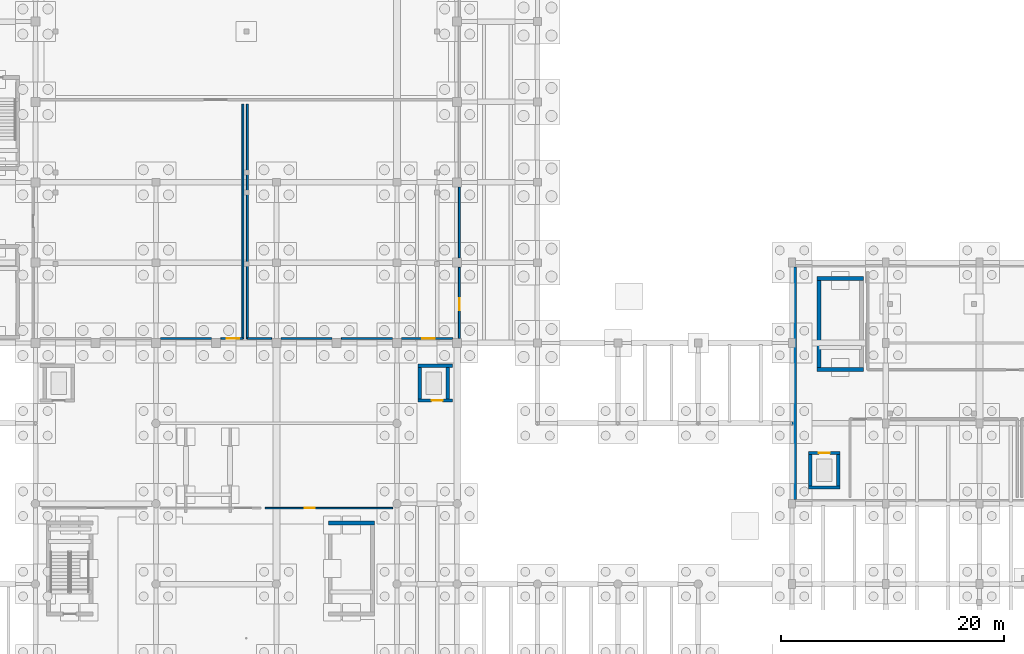
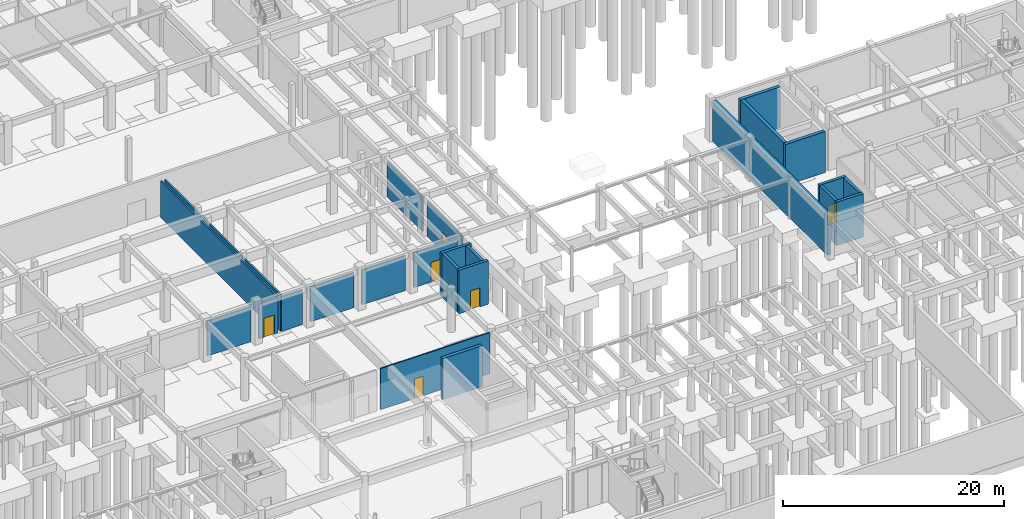
# One storey, part 27 of 46: 24 walls, 6 doors, 6 openings.
"""IFC4 building model written with IfcOpenShell, lengths in metres."""

import ifcopenshell
import ifcopenshell.guid

model = None  # the IFC model being written
_history = None  # IfcOwnerHistory: only IFC2X3 demands one
_inside = {}  # id of a spatial element -> (the spatial element, [elements in it])
_under = {}  # id of a project, library or spatial element -> (it, [spatial elements below it])
_declared = {}  # id of a project -> (the project, [libraries it declares])
_typed = {}  # id of a type object -> (the type object, [elements of that type])
_made_of = {}  # id of a material, layer set ... -> (it, [elements and type objects made of it])


def new_model(schema):
    """Start an empty IFC model of exactly this schema.

    Asked for "IFC4X3", IfcOpenShell would pick the latest addendum, in which some entities
    have other attributes; the version numbers below select the first issue.
    IFC2X3 requires an IfcOwnerHistory on every rooted entity: one is made here for all.
    """
    global model, _history
    if schema == "IFC4X3":
        model = ifcopenshell.file(schema_version=(4, 3, 0, 0))
    else:
        model = ifcopenshell.file(schema=schema)
    _inside.clear()
    _under.clear()
    _declared.clear()
    _typed.clear()
    _made_of.clear()
    _history = None
    if model.schema == "IFC2X3":
        org = make("IfcOrganization", Name="unknown")
        user = make(
            "IfcPersonAndOrganization",
            ThePerson=make("IfcPerson", FamilyName="unknown"),
            TheOrganization=org,
        )
        app = make(
            "IfcApplication",
            ApplicationDeveloper=org,
            Version="unknown",
            ApplicationFullName="unknown",
            ApplicationIdentifier="unknown",
        )
        _history = make(
            "IfcOwnerHistory",
            OwningUser=user,
            OwningApplication=app,
            ChangeAction="ADDED",
            CreationDate=0,
        )
    return model


def make(cls, **values):
    """One entity of the class cls with the attributes given. An attribute that is None is left unset."""
    return model.create_entity(
        cls, **{name: value for name, value in values.items() if value is not None}
    )


def rooted(cls, **values):
    """An entity with a GlobalId (a new one), such as an element, a storey or a relation."""
    return make(cls, GlobalId=ifcopenshell.guid.new(), OwnerHistory=_history, **values)


def si_unit(unit_type, name, prefix=None):
    """IfcSIUnit, for example si_unit("LENGTHUNIT", "METRE", prefix="MILLI")."""
    return make("IfcSIUnit", UnitType=unit_type, Prefix=prefix, Name=name)


def assignment(units):
    """IfcUnitAssignment: the units of a project."""
    return None if units is None else make("IfcUnitAssignment", Units=units)


def point(xyz):
    """IfcCartesianPoint."""
    return None if xyz is None else make("IfcCartesianPoint", Coordinates=xyz)


def direction(xyz):
    """IfcDirection."""
    return None if xyz is None else make("IfcDirection", DirectionRatios=xyz)


def frame(location, z_axis=None, x_axis=None):
    """IfcAxis2Placement3D, a coordinate frame: its origin and axes. An axis left out is left unset."""
    return make(
        "IfcAxis2Placement3D",
        Location=point(location),
        Axis=direction(z_axis),
        RefDirection=direction(x_axis),
    )


def frame_2d(location, x_axis=None):
    """IfcAxis2Placement2D, a coordinate frame in the plane: its origin and x axis."""
    return make(
        "IfcAxis2Placement2D", Location=point(location), RefDirection=direction(x_axis)
    )


def origin():
    """The frame at (0, 0, 0) with its axes left unset."""
    return frame((0.0, 0.0, 0.0))


def place(relative_to, where):
    """IfcLocalPlacement: puts the frame where relative to a parent placement (None: the world)."""
    return make(
        "IfcLocalPlacement", PlacementRelTo=relative_to, RelativePlacement=where
    )


def context(
    kind, dimensions, precision=None, world=None, true_north=None, identifier=None
):
    """IfcGeometricRepresentationContext, for example the 3D "Model" context."""
    return make(
        "IfcGeometricRepresentationContext",
        ContextIdentifier=identifier,
        ContextType=kind,
        CoordinateSpaceDimension=dimensions,
        Precision=precision,
        WorldCoordinateSystem=world,
        TrueNorth=true_north,
    )


def subcontext(parent, identifier, kind, view, scale=None):
    """IfcGeometricRepresentationSubContext, for example "Body" below "Model"."""
    return make(
        "IfcGeometricRepresentationSubContext",
        ContextIdentifier=identifier,
        ContextType=kind,
        ParentContext=parent,
        TargetScale=scale,
        TargetView=view,
    )


def project(units=None, contexts=None):
    """IfcProject with its units and contexts."""
    return rooted(
        "IfcProject",
        Name="project",
        RepresentationContexts=contexts,
        UnitsInContext=assignment(units),
    )


def spatial(cls, under=None, at=None, **own):
    """A site, building, storey or space (cls), placed at a placement, below another one or the project."""
    s = rooted(cls, ObjectPlacement=at, **own)
    if under is not None:
        _under.setdefault(under.id(), (under, []))[1].append(s)
    return s


def profile(cls, at=None, kind="AREA", **sizes):
    """A parametric profile (cls). Its sizes go by their IFC names, for example OverallWidth=200.0."""
    return make(cls, ProfileType=kind, Position=at, **sizes)


def rectangle(**sizes):
    """IfcRectangleProfileDef."""
    return profile("IfcRectangleProfileDef", **sizes)


def extrude(swept, where, along, depth):
    """IfcExtrudedAreaSolid: the profile swept, set in the frame where, extruded along a direction by depth."""
    return make(
        "IfcExtrudedAreaSolid",
        SweptArea=swept,
        Position=where,
        ExtrudedDirection=direction(along),
        Depth=depth,
    )


def shape(context_of_items, identifier, shape_type, items):
    """IfcShapeRepresentation: the items that make up one representation, for example the "Body"."""
    return make(
        "IfcShapeRepresentation",
        ContextOfItems=context_of_items,
        RepresentationIdentifier=identifier,
        RepresentationType=shape_type,
        Items=items,
    )


def material(Name=None, Category=None):
    """IfcMaterial."""
    return make("IfcMaterial", Name=Name, Category=Category)


def layer(
    of_material, thickness, ventilated=None, Name=None, Category=None, Priority=None
):
    """IfcMaterialLayer: one layer of a wall or slab, of a material (None: an air gap)."""
    return make(
        "IfcMaterialLayer",
        Material=of_material,
        LayerThickness=thickness,
        IsVentilated=ventilated,
        Name=Name,
        Category=Category,
        Priority=Priority,
    )


def layer_set(layers, Name=None):
    """IfcMaterialLayerSet."""
    return make("IfcMaterialLayerSet", MaterialLayers=layers, LayerSetName=Name)


def made_of(thing, what):
    """Note that an element or type object is made of a material, layer set ...; save() writes the relation."""
    if what is not None:
        _made_of.setdefault(what.id(), (what, []))[1].append(thing)
    return thing


def type_object(cls, material=None, **own):
    """A type object (cls), such as IfcWallType, which elements share."""
    return made_of(rooted(cls, **own), material)


def element(
    cls,
    number,
    at=None,
    inside=None,
    cuts=None,
    type_object=None,
    material=None,
    context=None,
    identifier="Body",
    shape_type=None,
    held_by="IfcProductDefinitionShape",
    body=None,
    shapes=None,
    **own,
):
    """One element of the class cls, such as IfcWall. Its Tag is "e" and its number.

    at: its placement. inside: the storey or other place that contains it. cuts: it is an
    opening in that element (IfcRelVoidsElement). A single representation is given by context,
    identifier, shape_type and body (its items); several are given by shapes. held_by: the class
    of the entity that holds the representations. save() writes the other relations.
    """
    e = rooted(cls, Tag="e%d" % number, ObjectPlacement=at, **own)
    if body is not None:
        shapes = [shape(context, identifier, shape_type, body)]
    if shapes is not None:
        e.Representation = make(held_by, Representations=shapes)
    if inside is not None:
        _inside.setdefault(inside.id(), (inside, []))[1].append(e)
    if cuts is not None:
        rooted(
            "IfcRelVoidsElement", RelatingBuildingElement=cuts, RelatedOpeningElement=e
        )
    if type_object is not None:
        _typed.setdefault(type_object.id(), (type_object, []))[1].append(e)
    return made_of(e, material)


def fill(opening, filler):
    """IfcRelFillsElement: the door or window that sits in an opening."""
    return rooted(
        "IfcRelFillsElement",
        RelatingOpeningElement=opening,
        RelatedBuildingElement=filler,
    )


def aggregate(whole, parts):
    """IfcRelAggregates: a whole, such as a stair, and the parts it consists of."""
    return rooted("IfcRelAggregates", RelatingObject=whole, RelatedObjects=parts)


def save(model, path):
    """Write the relations noted so far, then the file.

    IfcRelAggregates (storeys below a building ...), IfcRelContainedInSpatialStructure (elements
    in a storey), IfcRelDefinesByType, IfcRelAssociatesMaterial and IfcRelDeclares: one each for
    every whole, place, type object, material and project.
    """
    for whole, parts in _under.values():
        aggregate(whole, parts)
    for where, things in _inside.values():
        rooted(
            "IfcRelContainedInSpatialStructure",
            RelatedElements=things,
            RelatingStructure=where,
        )
    for kind, things in _typed.values():
        rooted("IfcRelDefinesByType", RelatedObjects=things, RelatingType=kind)
    for what, things in _made_of.values():
        rooted("IfcRelAssociatesMaterial", RelatedObjects=things, RelatingMaterial=what)
    for by, libraries in _declared.values():
        rooted("IfcRelDeclares", RelatingContext=by, RelatedDefinitions=libraries)
    model.write(path)


model = new_model("IFC4")

# Units and contexts
model_context = context("Model", 3, precision=1e-05, world=origin(), true_north=direction((0.0, 1.0)))
body_context = subcontext(model_context, "Body", "Model", "MODEL_VIEW")
ifc_project = project(units=[si_unit("LENGTHUNIT", "METRE"), si_unit("AREAUNIT", "SQUARE_METRE"), si_unit("VOLUMEUNIT", "CUBIC_METRE"), si_unit("PLANEANGLEUNIT", "RADIAN"), si_unit("MASSUNIT", "GRAM", prefix="KILO")], contexts=[model_context])

# Site, building, storey
site_placement = place(None, origin())
site = spatial("IfcSite", under=ifc_project, at=site_placement, CompositionType="ELEMENT")
building_placement = place(site_placement, origin())
building = spatial("IfcBuilding", under=site, at=building_placement, Name="Tazoul Stagehouse", CompositionType="ELEMENT")
storey_placement = place(building_placement, frame((0.0, 0.0, -4.800048828125)))
storey = spatial("IfcBuildingStorey", under=building, at=storey_placement, Name="B1", CompositionType="ELEMENT", Elevation=-4.800048828125)

# Walls
ifc_material_1 = material(Name="Concrete C35/45", Category="concrete")
ifc_layer_1 = layer(ifc_material_1, 0.39990234375, Name="Concrete C35/45")
ifc_layer_set_1 = layer_set([ifc_layer_1], Name="Concrete C35/45")
wall_type_1 = type_object("IfcWallType", Name="Basement Waterproofed Retaining Wall 400", PredefinedType="SOLIDWALL", material=ifc_layer_set_1)
wall_1_placement = place(storey_placement, frame((125.60009765625, 37.800048828125, 0.0), z_axis=(0.0, 0.0, 1.0), x_axis=(0.0, 1.0, 0.0)))
element("IfcWall", 1, at=wall_1_placement, inside=storey, type_object=wall_type_1, Name="B1 Wall RW-400 (RW-B1-V4-W-S1)", PredefinedType="SOLIDWALL", context=body_context, shape_type="SweptSolid", body=[
    extrude(rectangle(XDim=20.800048828125, YDim=0.39990234375, at=frame_2d((10.39990234375, 0.0))), origin(), (0.0, 0.0, 1.0), 4.47998046875),
])
ifc_material_2 = material(Name="Concrete C40/50", Category="concrete")
ifc_layer_2 = layer(ifc_material_2, 0.35009765625, Name="Concrete C40/50")
ifc_layer_set_2 = layer_set([ifc_layer_2], Name="Concrete C40/50")
wall_type_2 = type_object("IfcWallType", Name="Core Shear Wall 350", PredefinedType="SOLIDWALL", material=ifc_layer_set_2)
wall_2_placement = place(storey_placement, frame((131.800048828125, 49.425048828125, 0.0), z_axis=(0.0, 0.0, 1.0), x_axis=(-1.0, 0.0, 0.0)))
element("IfcWall", 2, at=wall_2_placement, inside=storey, type_object=wall_type_2, Name="B1 Core Wall CW-350 (SHF-ST-07-south)", PredefinedType="SOLIDWALL", context=body_context, shape_type="SweptSolid", body=[
    extrude(rectangle(XDim=4.150146484375, YDim=0.35009765625, at=frame_2d((2.0751953125, 0.0))), origin(), (0.0, 0.0, 1.0), 4.52001953125),
])
wall_3_placement = place(storey_placement, frame((127.824951171875, 49.60009765625, 0.0), z_axis=(0.0, 0.0, 1.0), x_axis=(0.0, 1.0, 0.0)))
element("IfcWall", 3, at=wall_3_placement, inside=storey, type_object=wall_type_2, Name="B1 Core Wall CW-350 (SHF-ST-07-west)", PredefinedType="SOLIDWALL", context=body_context, shape_type="SweptSolid", body=[
    extrude(rectangle(XDim=7.7998046875, YDim=0.35009765625, at=frame_2d((3.89990234375, 0.0))), origin(), (0.0, 0.0, 1.0), 4.52001953125),
])
wall_4_placement = place(storey_placement, frame((127.64990234375, 57.574951171875, 0.0), z_axis=(0.0, 0.0, 1.0), x_axis=(1.0, 0.0, 0.0)))
element("IfcWall", 4, at=wall_4_placement, inside=storey, type_object=wall_type_2, Name="B1 Core Wall CW-350 (SHF-ST-07-north)", PredefinedType="SOLIDWALL", context=body_context, shape_type="SweptSolid", body=[
    extrude(rectangle(XDim=4.150146484375, YDim=0.35009765625, at=frame_2d((2.0751953125, 0.0))), origin(), (0.0, 0.0, 1.0), 4.52001953125),
])
wall_5_placement = place(storey_placement, frame((83.85009765625, 35.655029296875, 0.0), z_axis=(0.0, 0.0, 1.0), x_axis=(1.0, 0.0, 0.0)))
element("IfcWall", 5, at=wall_5_placement, inside=storey, type_object=wall_type_2, Name="B1 Core Wall CW-350 (SHF-ST-08-north)", PredefinedType="SOLIDWALL", context=body_context, shape_type="SweptSolid", body=[
    extrude(rectangle(XDim=4.14990234375, YDim=0.35009765625, at=frame_2d((2.074951171875, 0.0))), origin(), (0.0, 0.0, 1.0), 4.5400390625),
])

# Wall, opening, door
ifc_material_3 = material(Name="Gypsum Acoustic Partition", Category="gypsum")
ifc_layer_3 = layer(ifc_material_3, 0.169921875, Name="Gypsum Acoustic Partition")
ifc_layer_set_3 = layer_set([ifc_layer_3], Name="Gypsum Acoustic Partition")
wall_type_3 = type_object("IfcWallType", Name="Corridor Fire-Rated Partition 170", PredefinedType="PARTITIONING", material=ifc_layer_set_3)
wall_6_placement = place(storey_placement, frame((76.199951171875, 52.199951171875, 0.0), z_axis=(0.0, 0.0, 1.0), x_axis=(-1.0, 0.0, 0.0)))
wall_6 = element("IfcWall", 6, at=wall_6_placement, inside=storey, type_object=wall_type_3, Name="B1 Partition PW-170 (PW-RM-B1-002-S-S1)", PredefinedType="PARTITIONING", context=body_context, shape_type="SweptSolid", body=[
    extrude(rectangle(XDim=1.97998046875, YDim=0.169921875, at=frame_2d((0.989990234375, 0.0))), origin(), (0.0, 0.0, 1.0), 3.840087890625),
])
opening_1_placement = place(wall_6_placement, frame((0.35009765625, 0.0, 0.0)))
opening_1 = element("IfcOpeningElement", 7, at=opening_1_placement, cuts=wall_6, Name="Opening ID-09", PredefinedType="OPENING", context=body_context, shape_type="SweptSolid", body=[
    extrude(rectangle(XDim=1.10009765625, YDim=2.10009765625, at=frame_2d((0.550048828125, 1.050048828125))), frame((0.0, 0.10498046875, 0.0), z_axis=(0.0, -1.0, 0.0), x_axis=(1.0, 0.0, 0.0)), (0.0, 0.0, 1.0), 0.2099609375),
])
ifc_material_4 = material(Name="Acoustic Cedar Timber", Category="wood")
door_type_1 = type_object("IfcDoorType", Name="Store Room Steel Door 1100x2100", OperationType="NOTDEFINED", PredefinedType="DOOR", material=ifc_material_4)
door_1_placement = place(opening_1_placement, origin())
door_1 = element("IfcDoor", 8, at=door_1_placement, inside=storey, type_object=door_type_1, Name="B1 Musicians Instrument Store Door", OperationType="SINGLE_SWING_RIGHT", OverallHeight=2.10009765625, OverallWidth=1.10009765625, PredefinedType="DOOR", context=body_context, shape_type="SweptSolid", body=[
    extrude(rectangle(XDim=1.10009765625, YDim=2.10009765625, at=frame_2d((0.550048828125, 1.050048828125))), frame((0.0, 0.02490234375, 0.0), z_axis=(0.0, -1.0, 0.0), x_axis=(1.0, 0.0, 0.0)), (0.0, 0.0, 1.0), 0.050048828125),
])
fill(opening_1, door_1)

# Walls
wall_7_placement = place(storey_placement, frame((73.3798828125, 52.199951171875, 0.0), z_axis=(0.0, 0.0, 1.0), x_axis=(-1.0, 0.0, 0.0)))
element("IfcWall", 9, at=wall_7_placement, inside=storey, type_object=wall_type_3, Name="B1 Partition PW-170 (PW-RM-B1-002-S-S2)", PredefinedType="PARTITIONING", context=body_context, shape_type="SweptSolid", body=[
    extrude(rectangle(XDim=4.559814453125, YDim=0.169921875, at=frame_2d((2.27978515625, 0.0))), origin(), (0.0, 0.0, 1.0), 3.840087890625),
])
wall_8_placement = place(storey_placement, frame((76.199951171875, 73.199951171875, 0.0), z_axis=(0.0, 0.0, 1.0), x_axis=(0.0, -1.0, 0.0)))
element("IfcWall", 10, at=wall_8_placement, inside=storey, type_object=wall_type_3, Name="B1 Partition PW-170 (PW-RM-B1-002-E)", PredefinedType="PARTITIONING", context=body_context, shape_type="SweptSolid", body=[
    extrude(rectangle(XDim=21.0, YDim=0.169921875, at=frame_2d((10.5, 0.0))), origin(), (0.0, 0.0, 1.0), 4.0400390625),
])

# Wall, opening, door
wall_9_placement = place(storey_placement, frame((94.97998046875, 52.199951171875, 0.0), z_axis=(0.0, 0.0, 1.0), x_axis=(-1.0, 0.0, 0.0)))
wall_9 = element("IfcWall", 11, at=wall_9_placement, inside=storey, type_object=wall_type_3, Name="B1 Partition PW-170 (PW-RM-B1-003-S-S1)", PredefinedType="PARTITIONING", context=body_context, shape_type="SweptSolid", body=[
    extrude(rectangle(XDim=4.56005859375, YDim=0.169921875, at=frame_2d((2.280029296875, 0.0))), origin(), (0.0, 0.0, 1.0), 3.840087890625),
])
opening_2_placement = place(wall_9_placement, frame((1.581787109375, 0.0, 0.0)))
opening_2 = element("IfcOpeningElement", 12, at=opening_2_placement, cuts=wall_9, Name="Opening ID-10", PredefinedType="OPENING", context=body_context, shape_type="SweptSolid", body=[
    extrude(rectangle(XDim=1.14990234375, YDim=2.14990234375, at=frame_2d((0.574951171875, 1.074951171875))), frame((0.0, 0.10498046875, 0.0), z_axis=(0.0, -1.0, 0.0), x_axis=(1.0, 0.0, 0.0)), (0.0, 0.0, 1.0), 0.2099609375),
])
door_type_2 = type_object("IfcDoorType", Name="Plantroom Rated Single Door 1150x2150", OperationType="NOTDEFINED", PredefinedType="DOOR", material=ifc_material_4)
door_2_placement = place(opening_2_placement, origin())
door_2 = element("IfcDoor", 13, at=door_2_placement, inside=storey, type_object=door_type_2, Name="B1 Under-Stalls Acoustic Plenum Chamber Door", OperationType="SINGLE_SWING_LEFT", OverallHeight=2.14990234375, OverallWidth=1.14990234375, PredefinedType="DOOR", context=body_context, shape_type="SweptSolid", body=[
    extrude(rectangle(XDim=1.14990234375, YDim=2.14990234375, at=frame_2d((0.574951171875, 1.074951171875))), frame((0.0, 0.02490234375, 0.0), z_axis=(0.0, -1.0, 0.0), x_axis=(1.0, 0.0, 0.0)), (0.0, 0.0, 1.0), 0.050048828125),
])
fill(opening_2, door_2)

# Walls
wall_10_placement = place(storey_placement, frame((89.580078125, 52.199951171875, 0.0), z_axis=(0.0, 0.0, 1.0), x_axis=(-1.0, 0.0, 0.0)))
element("IfcWall", 14, at=wall_10_placement, inside=storey, type_object=wall_type_3, Name="B1 Partition PW-170 (PW-RM-B1-003-S-S2)", PredefinedType="PARTITIONING", context=body_context, shape_type="SweptSolid", body=[
    extrude(rectangle(XDim=4.56005859375, YDim=0.169921875, at=frame_2d((2.280029296875, 0.0))), origin(), (0.0, 0.0, 1.0), 3.840087890625),
])
wall_11_placement = place(storey_placement, frame((84.179931640625, 52.199951171875, 0.0), z_axis=(0.0, 0.0, 1.0), x_axis=(-1.0, 0.0, 0.0)))
element("IfcWall", 15, at=wall_11_placement, inside=storey, type_object=wall_type_3, Name="B1 Partition PW-170 (PW-RM-B1-003-S-S3)", PredefinedType="PARTITIONING", context=body_context, shape_type="SweptSolid", body=[
    extrude(rectangle(XDim=4.559814453125, YDim=0.169921875, at=frame_2d((2.27978515625, 0.0))), origin(), (0.0, 0.0, 1.0), 3.840087890625),
])
wall_12_placement = place(storey_placement, frame((78.780029296875, 52.199951171875, 0.0), z_axis=(0.0, 0.0, 1.0), x_axis=(-1.0, 0.0, 0.0)))
element("IfcWall", 16, at=wall_12_placement, inside=storey, type_object=wall_type_3, Name="B1 Partition PW-170 (PW-RM-B1-003-S-S4)", PredefinedType="PARTITIONING", context=body_context, shape_type="SweptSolid", body=[
    extrude(rectangle(XDim=2.179931640625, YDim=0.169921875, at=frame_2d((1.08984375, 0.0))), origin(), (0.0, 0.0, 1.0), 3.840087890625),
])
wall_13_placement = place(storey_placement, frame((76.60009765625, 52.199951171875, 0.0), z_axis=(0.0, 0.0, 1.0), x_axis=(0.0, 1.0, 0.0)))
element("IfcWall", 17, at=wall_13_placement, inside=storey, type_object=wall_type_3, Name="B1 Partition PW-170 (PW-RM-B1-003-W)", PredefinedType="PARTITIONING", context=body_context, shape_type="SweptSolid", body=[
    extrude(rectangle(XDim=21.0, YDim=0.169921875, at=frame_2d((10.5, 0.0))), origin(), (0.0, 0.0, 1.0), 4.0400390625),
])

# Wall, opening, door
wall_14_placement = place(storey_placement, frame((95.60009765625, 52.219970703125, 0.0), z_axis=(0.0, 0.0, 1.0), x_axis=(0.0, 1.0, 0.0)))
wall_14 = element("IfcWall", 18, at=wall_14_placement, inside=storey, type_object=wall_type_3, Name="B1 Partition PW-170 (PW-RM-B1-102-W-S1)", PredefinedType="PARTITIONING", context=body_context, shape_type="SweptSolid", body=[
    extrude(rectangle(XDim=6.360107421875, YDim=0.169921875, at=frame_2d((3.18017578125, 0.0))), origin(), (0.0, 0.0, 1.0), 3.840087890625),
])
opening_3_placement = place(wall_14_placement, frame((2.510009765625, 0.0, 0.0)))
opening_3 = element("IfcOpeningElement", 19, at=opening_3_placement, cuts=wall_14, Name="Opening ID-09", PredefinedType="OPENING", context=body_context, shape_type="SweptSolid", body=[
    extrude(rectangle(XDim=1.10009765625, YDim=2.10009765625, at=frame_2d((0.550048828125, 1.050048828125))), frame((0.0, 0.10498046875, 0.0), z_axis=(0.0, -1.0, 0.0), x_axis=(1.0, 0.0, 0.0)), (0.0, 0.0, 1.0), 0.2099609375),
])
door_3_placement = place(opening_3_placement, origin())
door_3 = element("IfcDoor", 20, at=door_3_placement, inside=storey, type_object=door_type_1, Name="B1 Auditorium Side Acoustic Plenum East Door", OperationType="SINGLE_SWING_LEFT", OverallHeight=2.10009765625, OverallWidth=1.10009765625, PredefinedType="DOOR", context=body_context, shape_type="SweptSolid", body=[
    extrude(rectangle(XDim=1.10009765625, YDim=2.10009765625, at=frame_2d((0.550048828125, 1.050048828125))), frame((0.0, 0.02490234375, 0.0), z_axis=(0.0, -1.0, 0.0), x_axis=(1.0, 0.0, 0.0)), (0.0, 0.0, 1.0), 0.050048828125),
])
fill(opening_3, door_3)

# Wall
wall_15_placement = place(storey_placement, frame((95.60009765625, 59.419921875, 0.0), z_axis=(0.0, 0.0, 1.0), x_axis=(0.0, 1.0, 0.0)))
element("IfcWall", 21, at=wall_15_placement, inside=storey, type_object=wall_type_3, Name="B1 Partition PW-170 (PW-RM-B1-102-W-S2)", PredefinedType="PARTITIONING", context=body_context, shape_type="SweptSolid", body=[
    extrude(rectangle(XDim=6.360107421875, YDim=0.169921875, at=frame_2d((3.18017578125, 0.0))), origin(), (0.0, 0.0, 1.0), 3.840087890625),
])

# Wall, opening, door
ifc_layer_4 = layer(ifc_material_2, 0.300048828125, Name="Concrete C40/50")
ifc_layer_set_4 = layer_set([ifc_layer_4], Name="Concrete C40/50")
wall_type_4 = type_object("IfcWallType", Name="Lift Shaft Wall 300", PredefinedType="SOLIDWALL", material=ifc_layer_set_4)
wall_16_placement = place(storey_placement, frame((95.0, 46.64990234375, 0.0), z_axis=(0.0, 0.0, 1.0), x_axis=(-1.0, 0.0, 0.0)))
wall_16 = element("IfcWall", 22, at=wall_16_placement, inside=storey, type_object=wall_type_4, Name="B1 Core Wall CW-300 (LSHF-PL-02-south)", PredefinedType="SOLIDWALL", context=body_context, shape_type="SweptSolid", body=[
    extrude(rectangle(XDim=3.10009765625, YDim=0.300048828125, at=frame_2d((1.550048828125, 0.0))), origin(), (0.0, 0.0, 1.0), 4.800048828125),
])
opening_4_placement = place(wall_16_placement, frame((0.89990234375, 0.0, 0.0)))
opening_4 = element("IfcOpeningElement", 23, at=opening_4_placement, cuts=wall_16, Name="Opening LD-04", PredefinedType="OPENING", context=body_context, shape_type="SweptSolid", body=[
    extrude(rectangle(XDim=1.0, YDim=2.10009765625, at=frame_2d((0.5, 1.050048828125))), frame((0.0, 0.169921875, 0.0), z_axis=(0.0, -1.0, 0.0), x_axis=(1.0, 0.0, 0.0)), (0.0, 0.0, 1.0), 0.340087890625),
])
ifc_material_5 = material(Name="Powder-Coated Galvanised Acoustic Steel", Category="steel")
door_type_3 = type_object("IfcDoorType", Name="Passenger Lift Sliding Landing Door 1000x2100", OperationType="DOUBLE_DOOR_SLIDING", PredefinedType="DOOR", material=ifc_material_5)
door_4_placement = place(opening_4_placement, origin())
door_4 = element("IfcDoor", 24, at=door_4_placement, inside=storey, type_object=door_type_3, Name="B1 Lift Landing Sliding Door LD-04 (PL-02)", OperationType="DOUBLE_DOOR_SLIDING", OverallHeight=2.10009765625, OverallWidth=1.0, PredefinedType="DOOR", context=body_context, shape_type="SweptSolid", body=[
    extrude(rectangle(XDim=1.0, YDim=2.10009765625, at=frame_2d((0.5, 1.050048828125))), frame((0.0, 0.02490234375, 0.0), z_axis=(0.0, -1.0, 0.0), x_axis=(1.0, 0.0, 0.0)), (0.0, 0.0, 1.0), 0.050048828125),
])
fill(opening_4, door_4)

# Walls
wall_17_placement = place(storey_placement, frame((92.050048828125, 46.800048828125, 0.0), z_axis=(0.0, 0.0, 1.0), x_axis=(0.0, 1.0, 0.0)))
element("IfcWall", 25, at=wall_17_placement, inside=storey, type_object=wall_type_4, Name="B1 Core Wall CW-300 (LSHF-PL-02-west)", PredefinedType="SOLIDWALL", context=body_context, shape_type="SweptSolid", body=[
    extrude(rectangle(XDim=2.800048828125, YDim=0.300048828125, at=frame_2d((1.39990234375, 0.0))), origin(), (0.0, 0.0, 1.0), 4.800048828125),
])
wall_18_placement = place(storey_placement, frame((91.89990234375, 49.75, 0.0), z_axis=(0.0, 0.0, 1.0), x_axis=(1.0, 0.0, 0.0)))
element("IfcWall", 26, at=wall_18_placement, inside=storey, type_object=wall_type_4, Name="B1 Core Wall CW-300 (LSHF-PL-02-north)", PredefinedType="SOLIDWALL", context=body_context, shape_type="SweptSolid", body=[
    extrude(rectangle(XDim=3.10009765625, YDim=0.300048828125, at=frame_2d((1.550048828125, 0.0))), origin(), (0.0, 0.0, 1.0), 4.800048828125),
])
for number, where, z_axis, x_axis, name in (
    (27, (94.550048828125, 49.60009765625, 0.0), (0.0, 0.0, 1.0), (0.0, -1.0, 0.0), "B1 Core Wall CW-300 (LSHF-PL-02-east)"),
    (28, (129.699951171875, 38.85009765625, 0.0), (0.0, 0.0, 1.0), (-1.0, 0.0, 0.0), "B1 Core Wall CW-300 (LSHF-PL-04-south)"),
    (29, (127.050048828125, 39.0, 0.0), (0.0, 0.0, 1.0), (0.0, 1.0, 0.0), "B1 Core Wall CW-300 (LSHF-PL-04-west)"),
):
    element("IfcWall", number, at=place(storey_placement, frame(where, z_axis=z_axis, x_axis=x_axis)), inside=storey, type_object=wall_type_4, Name=name, PredefinedType="SOLIDWALL", context=body_context, shape_type="SweptSolid", body=[
        extrude(rectangle(XDim=2.800048828125, YDim=0.300048828125, at=frame_2d((1.39990234375, 0.0))), origin(), (0.0, 0.0, 1.0), 4.800048828125),
    ])

# Wall, opening, door
wall_19_placement = place(storey_placement, frame((126.89990234375, 41.949951171875, 0.0), z_axis=(0.0, 0.0, 1.0), x_axis=(1.0, 0.0, 0.0)))
wall_19 = element("IfcWall", 30, at=wall_19_placement, inside=storey, type_object=wall_type_4, Name="B1 Core Wall CW-300 (LSHF-PL-04-north)", PredefinedType="SOLIDWALL", context=body_context, shape_type="SweptSolid", body=[
    extrude(rectangle(XDim=2.800048828125, YDim=0.300048828125, at=frame_2d((1.39990234375, 0.0))), origin(), (0.0, 0.0, 1.0), 4.800048828125),
])
opening_5_placement = place(wall_19_placement, frame((0.89990234375, 0.0, 0.0)))
opening_5 = element("IfcOpeningElement", 31, at=opening_5_placement, cuts=wall_19, Name="Opening LD-06", PredefinedType="OPENING", context=body_context, shape_type="SweptSolid", body=[
    extrude(rectangle(XDim=1.0, YDim=2.14990234375, at=frame_2d((0.5, 1.074951171875))), frame((0.0, 0.169921875, 0.0), z_axis=(0.0, -1.0, 0.0), x_axis=(1.0, 0.0, 0.0)), (0.0, 0.0, 1.0), 0.340087890625),
])
door_type_4 = type_object("IfcDoorType", Name="Studio Lift Sliding Landing Door 1000x2150", OperationType="DOUBLE_DOOR_SLIDING", PredefinedType="DOOR", material=ifc_material_5)
door_5_placement = place(opening_5_placement, origin())
door_5 = element("IfcDoor", 32, at=door_5_placement, inside=storey, type_object=door_type_4, Name="B1 Lift Landing Sliding Door LD-06 (PL-04)", OperationType="DOUBLE_DOOR_SLIDING", OverallHeight=2.14990234375, OverallWidth=1.0, PredefinedType="DOOR", context=body_context, shape_type="SweptSolid", body=[
    extrude(rectangle(XDim=1.0, YDim=2.14990234375, at=frame_2d((0.5, 1.074951171875))), frame((0.0, 0.02490234375, 0.0), z_axis=(0.0, -1.0, 0.0), x_axis=(1.0, 0.0, 0.0)), (0.0, 0.0, 1.0), 0.050048828125),
])
fill(opening_5, door_5)

# Wall
wall_20_placement = place(storey_placement, frame((129.550048828125, 41.800048828125, 0.0), z_axis=(0.0, 0.0, 1.0), x_axis=(0.0, -1.0, 0.0)))
element("IfcWall", 33, at=wall_20_placement, inside=storey, type_object=wall_type_4, Name="B1 Core Wall CW-300 (LSHF-PL-04-east)", PredefinedType="SOLIDWALL", context=body_context, shape_type="SweptSolid", body=[
    extrude(rectangle(XDim=2.800048828125, YDim=0.300048828125, at=frame_2d((1.39990234375, 0.0))), origin(), (0.0, 0.0, 1.0), 4.800048828125),
])

# Wall, opening, door
ifc_layer_5 = layer(ifc_material_3, 0.1298828125, Name="Gypsum Acoustic Partition")
ifc_layer_set_5 = layer_set([ifc_layer_5], Name="Gypsum Acoustic Partition")
wall_type_5 = type_object("IfcWallType", Name="Office Drywall Partition 130", PredefinedType="PARTITIONING", material=ifc_layer_set_5)
wall_21_placement = place(storey_placement, frame((89.60498046875, 37.0, 0.0), z_axis=(0.0, 0.0, 1.0), x_axis=(-1.0, 0.0, 0.0)))
wall_21 = element("IfcWall", 34, at=wall_21_placement, inside=storey, type_object=wall_type_5, Name="B1 Partition PW-130 (PW-RM-B1-012-S)", PredefinedType="PARTITIONING", context=body_context, shape_type="SweptSolid", body=[
    extrude(rectangle(XDim=11.405029296875, YDim=0.1298828125, at=frame_2d((5.70263671875, 0.0))), origin(), (0.0, 0.0, 1.0), 4.5400390625),
])
opening_6_placement = place(wall_21_placement, frame((6.968505859375, 0.0, 0.0)))
opening_6 = element("IfcOpeningElement", 35, at=opening_6_placement, cuts=wall_21, Name="Opening ID-05", PredefinedType="OPENING", context=body_context, shape_type="SweptSolid", body=[
    extrude(rectangle(XDim=0.89990234375, YDim=2.14990234375, at=frame_2d((0.449951171875, 1.074951171875))), frame((0.0, 0.0849609375, 0.0), z_axis=(0.0, -1.0, 0.0), x_axis=(1.0, 0.0, 0.0)), (0.0, 0.0, 1.0), 0.169921875),
])
door_type_5 = type_object("IfcDoorType", Name="Office Timber Acoustic Door 900x2150", OperationType="NOTDEFINED", PredefinedType="DOOR", material=ifc_material_4)
door_6_placement = place(opening_6_placement, origin())
door_6 = element("IfcDoor", 36, at=door_6_placement, inside=storey, type_object=door_type_5, Name="B1 Metro Public Cloakroom Door", OperationType="SINGLE_SWING_RIGHT", OverallHeight=2.14990234375, OverallWidth=0.89990234375, PredefinedType="DOOR", context=body_context, shape_type="SweptSolid", body=[
    extrude(rectangle(XDim=0.89990234375, YDim=2.14990234375, at=frame_2d((0.449951171875, 1.074951171875))), frame((0.0, 0.02490234375, 0.0), z_axis=(0.0, -1.0, 0.0), x_axis=(1.0, 0.0, 0.0)), (0.0, 0.0, 1.0), 0.050048828125),
])
fill(opening_6, door_6)

save(model, "model.ifc")
